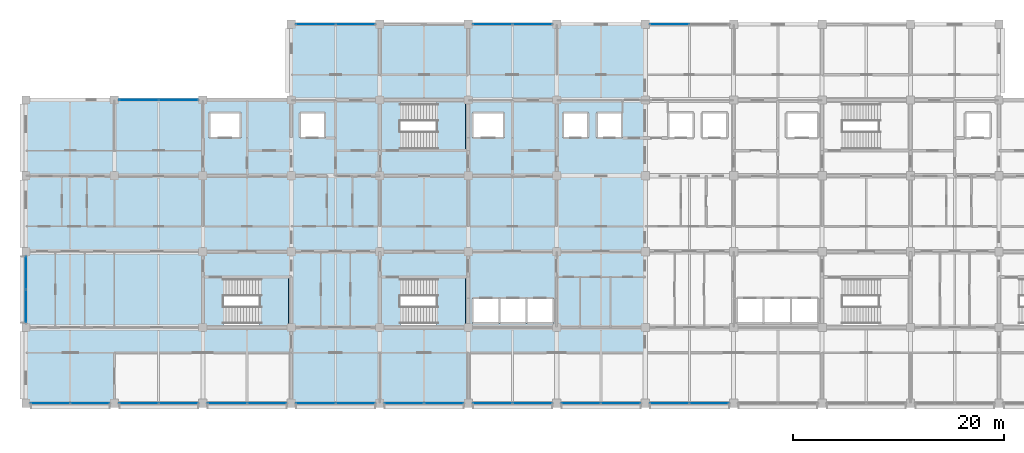
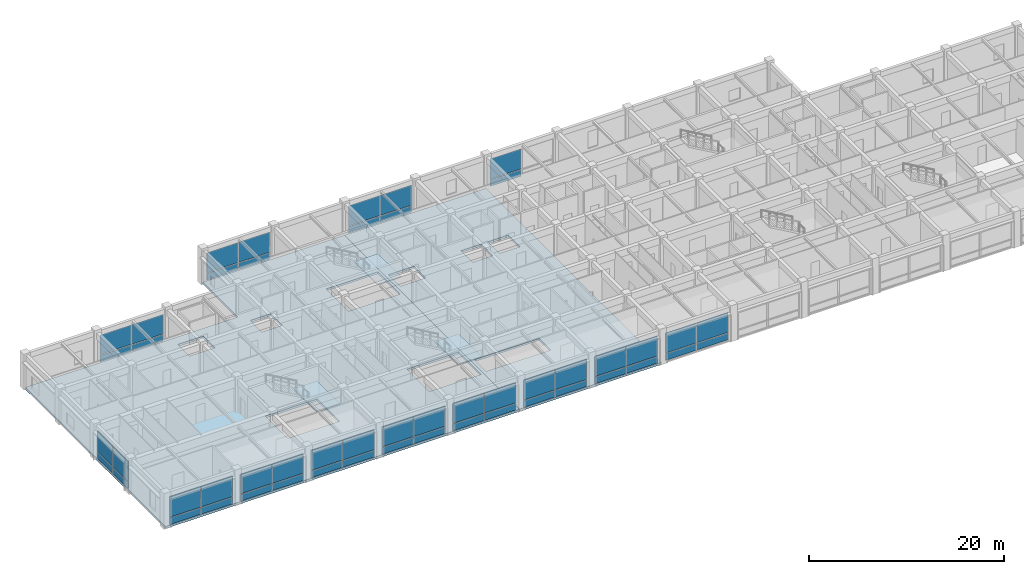
# One storey, part 12 of 30: 50 plates, 5 slabs, 16 elements without a shape of their own.
"""IFC4 building model written with IfcOpenShell, lengths in metres."""

from ifc_helpers import new_model, si_unit, direction, frame, origin, origin_2d, place, context, subcontext, project, spatial, polyline, rectangle, outline, extrude, material, layer, layer_set, type_object, element, aggregate, save


model = new_model("IFC4")

# Units and contexts
model_context = context("Model", 3, precision=1e-05, world=origin(), true_north=direction((0.0, 1.0)))
body_context = subcontext(model_context, "Body", "Model", "MODEL_VIEW")
ifc_project = project(units=[si_unit("LENGTHUNIT", "METRE"), si_unit("AREAUNIT", "SQUARE_METRE"), si_unit("VOLUMEUNIT", "CUBIC_METRE"), si_unit("PLANEANGLEUNIT", "RADIAN"), si_unit("MASSUNIT", "GRAM", prefix="KILO")], contexts=[model_context])

# Site, building, storey
site_placement = place(None, origin())
site = spatial("IfcSite", under=ifc_project, at=site_placement, CompositionType="ELEMENT")
building_placement = place(site_placement, origin())
building = spatial("IfcBuilding", under=site, at=building_placement, Name="Chengyuan Square Courthouse", CompositionType="ELEMENT")
storey_placement = place(building_placement, frame((0.0, 0.0, 30.60009765625)))
storey = spatial("IfcBuildingStorey", under=building, at=storey_placement, Name="L07", CompositionType="ELEMENT", Elevation=30.60009765625)

# Curtain wall, plates
ifc_material_1 = material(Name="Unitised Aluminium and Triple Low-E Glass", Category="aluminium")
ifc_layer_1 = layer(ifc_material_1, 0.199951171875)
ifc_layer_set_1 = layer_set([ifc_layer_1], Name="Unitised Aluminium and Triple Low-E Glass")
curtain_wall_type_1 = type_object("IfcCurtainWallType", Name="CW-19", PredefinedType="USERDEFINED", material=ifc_layer_set_1)
curtain_wall_1_placement = place(storey_placement, origin())
curtain_wall_1 = element("IfcCurtainWall", 1, at=curtain_wall_1_placement, inside=storey, type_object=curtain_wall_type_1, Name="Unitised Curtain Wall CW-L07-201", ObjectType="UNITISED CURTAIN WALL", PredefinedType="USERDEFINED")
ifc_material_2 = material(Name="Triple Low-E Insulating Glass", Category="glass")
ifc_layer_2 = layer(ifc_material_2, 0.02392578125)
ifc_layer_set_2 = layer_set([ifc_layer_2], Name="Triple Low-E Insulating Glass")
plate_type_1 = type_object("IfcPlateType", Name="CWP-01", PredefinedType="CURTAIN_PANEL", material=ifc_layer_set_2)
plate_1_placement = place(storey_placement, frame((27.517578125, 79.199951171875, 0.06982421875), z_axis=(0.0, 0.0, 1.0), x_axis=(1.0, 0.0, 0.0)))
plate_1 = element("IfcPlate", 2, at=plate_1_placement, type_object=plate_type_1, Name="CW-19 panel 1.1", PredefinedType="CURTAIN_PANEL", context=body_context, shape_type="SweptSolid", body=[
    extrude(rectangle(XDim=3.695068359375, YDim=0.02392578125, at=origin_2d()), origin(), (0.0, 0.0, 1.0), 0.844970703125),
])
plate_2_placement = place(storey_placement, frame((27.517578125, 79.199951171875, 0.98486328125), z_axis=(0.0, 0.0, 1.0), x_axis=(1.0, 0.0, 0.0)))
plate_2 = element("IfcPlate", 3, at=plate_2_placement, type_object=plate_type_1, Name="CW-19 panel 1.2", PredefinedType="CURTAIN_PANEL", context=body_context, shape_type="SweptSolid", body=[
    extrude(rectangle(XDim=3.695068359375, YDim=0.02392578125, at=origin_2d()), origin(), (0.0, 0.0, 1.0), 2.594970703125),
])
plate_3_placement = place(storey_placement, frame((31.282470703125, 79.199951171875, 0.06982421875), z_axis=(0.0, 0.0, 1.0), x_axis=(1.0, 0.0, 0.0)))
plate_3 = element("IfcPlate", 4, at=plate_3_placement, type_object=plate_type_1, Name="CW-19 panel 2.1", PredefinedType="CURTAIN_PANEL", context=body_context, shape_type="SweptSolid", body=[
    extrude(rectangle(XDim=3.695068359375, YDim=0.02392578125, at=origin_2d()), origin(), (0.0, 0.0, 1.0), 0.844970703125),
])
plate_4_placement = place(storey_placement, frame((31.282470703125, 79.199951171875, 0.98486328125), z_axis=(0.0, 0.0, 1.0), x_axis=(1.0, 0.0, 0.0)))
plate_4 = element("IfcPlate", 5, at=plate_4_placement, type_object=plate_type_1, Name="CW-19 panel 2.2", PredefinedType="CURTAIN_PANEL", context=body_context, shape_type="SweptSolid", body=[
    extrude(rectangle(XDim=3.695068359375, YDim=0.02392578125, at=origin_2d()), origin(), (0.0, 0.0, 1.0), 2.594970703125),
])
aggregate(curtain_wall_1, [plate_1, plate_2, plate_3, plate_4])

curtain_wall_2_placement = place(storey_placement, origin())
curtain_wall_2 = element("IfcCurtainWall", 6, at=curtain_wall_2_placement, inside=storey, type_object=curtain_wall_type_1, Name="Unitised Curtain Wall CW-L07-203", ObjectType="UNITISED CURTAIN WALL", PredefinedType="USERDEFINED")
plate_5_placement = place(storey_placement, frame((35.91748046875, 79.199951171875, 0.06982421875), z_axis=(0.0, 0.0, 1.0), x_axis=(1.0, 0.0, 0.0)))
plate_5 = element("IfcPlate", 7, at=plate_5_placement, type_object=plate_type_1, Name="CW-19 panel 1.1", PredefinedType="CURTAIN_PANEL", context=body_context, shape_type="SweptSolid", body=[
    extrude(rectangle(XDim=3.695068359375, YDim=0.02392578125, at=origin_2d()), origin(), (0.0, 0.0, 1.0), 0.844970703125),
])
plate_6_placement = place(storey_placement, frame((35.91748046875, 79.199951171875, 0.98486328125), z_axis=(0.0, 0.0, 1.0), x_axis=(1.0, 0.0, 0.0)))
plate_6 = element("IfcPlate", 8, at=plate_6_placement, type_object=plate_type_1, Name="CW-19 panel 1.2", PredefinedType="CURTAIN_PANEL", context=body_context, shape_type="SweptSolid", body=[
    extrude(rectangle(XDim=3.695068359375, YDim=0.02392578125, at=origin_2d()), origin(), (0.0, 0.0, 1.0), 2.445068359375),
])
plate_7_placement = place(storey_placement, frame((39.6826171875, 79.199951171875, 0.06982421875), z_axis=(0.0, 0.0, 1.0), x_axis=(1.0, 0.0, 0.0)))
plate_7 = element("IfcPlate", 9, at=plate_7_placement, type_object=plate_type_1, Name="CW-19 panel 2.1", PredefinedType="CURTAIN_PANEL", context=body_context, shape_type="SweptSolid", body=[
    extrude(rectangle(XDim=3.695068359375, YDim=0.02392578125, at=origin_2d()), origin(), (0.0, 0.0, 1.0), 0.844970703125),
])
plate_8_placement = place(storey_placement, frame((39.6826171875, 79.199951171875, 0.98486328125), z_axis=(0.0, 0.0, 1.0), x_axis=(1.0, 0.0, 0.0)))
plate_8 = element("IfcPlate", 10, at=plate_8_placement, type_object=plate_type_1, Name="CW-19 panel 2.2", PredefinedType="CURTAIN_PANEL", context=body_context, shape_type="SweptSolid", body=[
    extrude(rectangle(XDim=3.695068359375, YDim=0.02392578125, at=origin_2d()), origin(), (0.0, 0.0, 1.0), 2.445068359375),
])
aggregate(curtain_wall_2, [plate_5, plate_6, plate_7, plate_8])

curtain_wall_3_placement = place(storey_placement, origin())
curtain_wall_3 = element("IfcCurtainWall", 11, at=curtain_wall_3_placement, inside=storey, type_object=curtain_wall_type_1, Name="Unitised Curtain Wall CW-L07-204", ObjectType="UNITISED CURTAIN WALL", PredefinedType="USERDEFINED")
plate_9_placement = place(storey_placement, frame((35.91748046875, 108.0, 0.06982421875), z_axis=(0.0, 0.0, 1.0), x_axis=(1.0, 0.0, 0.0)))
plate_9 = element("IfcPlate", 12, at=plate_9_placement, type_object=plate_type_1, Name="CW-19 panel 1.1", PredefinedType="CURTAIN_PANEL", context=body_context, shape_type="SweptSolid", body=[
    extrude(rectangle(XDim=3.695068359375, YDim=0.02392578125, at=origin_2d()), origin(), (0.0, 0.0, 1.0), 0.844970703125),
])
plate_10_placement = place(storey_placement, frame((35.91748046875, 108.0, 0.98486328125), z_axis=(0.0, 0.0, 1.0), x_axis=(1.0, 0.0, 0.0)))
plate_10 = element("IfcPlate", 13, at=plate_10_placement, type_object=plate_type_1, Name="CW-19 panel 1.2", PredefinedType="CURTAIN_PANEL", context=body_context, shape_type="SweptSolid", body=[
    extrude(rectangle(XDim=3.695068359375, YDim=0.02392578125, at=origin_2d()), origin(), (0.0, 0.0, 1.0), 2.445068359375),
])
plate_11_placement = place(storey_placement, frame((39.6826171875, 108.0, 0.06982421875), z_axis=(0.0, 0.0, 1.0), x_axis=(1.0, 0.0, 0.0)))
plate_11 = element("IfcPlate", 14, at=plate_11_placement, type_object=plate_type_1, Name="CW-19 panel 2.1", PredefinedType="CURTAIN_PANEL", context=body_context, shape_type="SweptSolid", body=[
    extrude(rectangle(XDim=3.695068359375, YDim=0.02392578125, at=origin_2d()), origin(), (0.0, 0.0, 1.0), 0.844970703125),
])
plate_12_placement = place(storey_placement, frame((39.6826171875, 108.0, 0.98486328125), z_axis=(0.0, 0.0, 1.0), x_axis=(1.0, 0.0, 0.0)))
plate_12 = element("IfcPlate", 15, at=plate_12_placement, type_object=plate_type_1, Name="CW-19 panel 2.2", PredefinedType="CURTAIN_PANEL", context=body_context, shape_type="SweptSolid", body=[
    extrude(rectangle(XDim=3.695068359375, YDim=0.02392578125, at=origin_2d()), origin(), (0.0, 0.0, 1.0), 2.445068359375),
])
aggregate(curtain_wall_3, [plate_9, plate_10, plate_11, plate_12])

curtain_wall_4_placement = place(storey_placement, origin())
curtain_wall_4 = element("IfcCurtainWall", 16, at=curtain_wall_4_placement, inside=storey, type_object=curtain_wall_type_1, Name="Unitised Curtain Wall CW-L07-205", ObjectType="UNITISED CURTAIN WALL", PredefinedType="USERDEFINED")
plate_13_placement = place(storey_placement, frame((44.3173828125, 79.199951171875, 0.06982421875), z_axis=(0.0, 0.0, 1.0), x_axis=(1.0, 0.0, 0.0)))
plate_13 = element("IfcPlate", 17, at=plate_13_placement, type_object=plate_type_1, Name="CW-19 panel 1.1", PredefinedType="CURTAIN_PANEL", context=body_context, shape_type="SweptSolid", body=[
    extrude(rectangle(XDim=3.695068359375, YDim=0.02392578125, at=origin_2d()), origin(), (0.0, 0.0, 1.0), 0.844970703125),
])
plate_14_placement = place(storey_placement, frame((44.3173828125, 79.199951171875, 0.98486328125), z_axis=(0.0, 0.0, 1.0), x_axis=(1.0, 0.0, 0.0)))
plate_14 = element("IfcPlate", 18, at=plate_14_placement, type_object=plate_type_1, Name="CW-19 panel 1.2", PredefinedType="CURTAIN_PANEL", context=body_context, shape_type="SweptSolid", body=[
    extrude(rectangle(XDim=3.695068359375, YDim=0.02392578125, at=origin_2d()), origin(), (0.0, 0.0, 1.0), 2.534912109375),
])
plate_15_placement = place(storey_placement, frame((48.08251953125, 79.199951171875, 0.06982421875), z_axis=(0.0, 0.0, 1.0), x_axis=(1.0, 0.0, 0.0)))
plate_15 = element("IfcPlate", 19, at=plate_15_placement, type_object=plate_type_1, Name="CW-19 panel 2.1", PredefinedType="CURTAIN_PANEL", context=body_context, shape_type="SweptSolid", body=[
    extrude(rectangle(XDim=3.695068359375, YDim=0.02392578125, at=origin_2d()), origin(), (0.0, 0.0, 1.0), 0.844970703125),
])
plate_16_placement = place(storey_placement, frame((48.08251953125, 79.199951171875, 0.98486328125), z_axis=(0.0, 0.0, 1.0), x_axis=(1.0, 0.0, 0.0)))
plate_16 = element("IfcPlate", 20, at=plate_16_placement, type_object=plate_type_1, Name="CW-19 panel 2.2", PredefinedType="CURTAIN_PANEL", context=body_context, shape_type="SweptSolid", body=[
    extrude(rectangle(XDim=3.695068359375, YDim=0.02392578125, at=origin_2d()), origin(), (0.0, 0.0, 1.0), 2.534912109375),
])
aggregate(curtain_wall_4, [plate_13, plate_14, plate_15, plate_16])

curtain_wall_5_placement = place(storey_placement, origin())
curtain_wall_5 = element("IfcCurtainWall", 21, at=curtain_wall_5_placement, inside=storey, type_object=curtain_wall_type_1, Name="Unitised Curtain Wall CW-L07-206", ObjectType="UNITISED CURTAIN WALL", PredefinedType="USERDEFINED")
plate_17_placement = place(storey_placement, frame((52.717529296875, 79.199951171875, 0.06982421875), z_axis=(0.0, 0.0, 1.0), x_axis=(1.0, 0.0, 0.0)))
plate_17 = element("IfcPlate", 22, at=plate_17_placement, type_object=plate_type_1, Name="CW-19 panel 1.1", PredefinedType="CURTAIN_PANEL", context=body_context, shape_type="SweptSolid", body=[
    extrude(rectangle(XDim=3.695068359375, YDim=0.02392578125, at=origin_2d()), origin(), (0.0, 0.0, 1.0), 0.844970703125),
])
plate_18_placement = place(storey_placement, frame((52.717529296875, 79.199951171875, 0.98486328125), z_axis=(0.0, 0.0, 1.0), x_axis=(1.0, 0.0, 0.0)))
plate_18 = element("IfcPlate", 23, at=plate_18_placement, type_object=plate_type_1, Name="CW-19 panel 1.2", PredefinedType="CURTAIN_PANEL", context=body_context, shape_type="SweptSolid", body=[
    extrude(rectangle(XDim=3.695068359375, YDim=0.02392578125, at=origin_2d()), origin(), (0.0, 0.0, 1.0), 2.534912109375),
])
plate_19_placement = place(storey_placement, frame((56.482421875, 79.199951171875, 0.06982421875), z_axis=(0.0, 0.0, 1.0), x_axis=(1.0, 0.0, 0.0)))
plate_19 = element("IfcPlate", 24, at=plate_19_placement, type_object=plate_type_1, Name="CW-19 panel 2.1", PredefinedType="CURTAIN_PANEL", context=body_context, shape_type="SweptSolid", body=[
    extrude(rectangle(XDim=3.695068359375, YDim=0.02392578125, at=origin_2d()), origin(), (0.0, 0.0, 1.0), 0.844970703125),
])
plate_20_placement = place(storey_placement, frame((56.482421875, 79.199951171875, 0.98486328125), z_axis=(0.0, 0.0, 1.0), x_axis=(1.0, 0.0, 0.0)))
plate_20 = element("IfcPlate", 25, at=plate_20_placement, type_object=plate_type_1, Name="CW-19 panel 2.2", PredefinedType="CURTAIN_PANEL", context=body_context, shape_type="SweptSolid", body=[
    extrude(rectangle(XDim=3.695068359375, YDim=0.02392578125, at=origin_2d()), origin(), (0.0, 0.0, 1.0), 2.534912109375),
])
aggregate(curtain_wall_5, [plate_17, plate_18, plate_19, plate_20])

curtain_wall_6_placement = place(storey_placement, origin())
curtain_wall_6 = element("IfcCurtainWall", 26, at=curtain_wall_6_placement, inside=storey, type_object=curtain_wall_type_1, Name="Unitised Curtain Wall CW-L07-207", ObjectType="UNITISED CURTAIN WALL", PredefinedType="USERDEFINED")
plate_21_placement = place(storey_placement, frame((52.717529296875, 115.199951171875, 0.06982421875), z_axis=(0.0, 0.0, 1.0), x_axis=(1.0, 0.0, 0.0)))
plate_21 = element("IfcPlate", 27, at=plate_21_placement, type_object=plate_type_1, Name="CW-19 panel 1.1", PredefinedType="CURTAIN_PANEL", context=body_context, shape_type="SweptSolid", body=[
    extrude(rectangle(XDim=3.695068359375, YDim=0.02392578125, at=origin_2d()), origin(), (0.0, 0.0, 1.0), 0.844970703125),
])
plate_22_placement = place(storey_placement, frame((52.717529296875, 115.199951171875, 0.98486328125), z_axis=(0.0, 0.0, 1.0), x_axis=(1.0, 0.0, 0.0)))
plate_22 = element("IfcPlate", 28, at=plate_22_placement, type_object=plate_type_1, Name="CW-19 panel 1.2", PredefinedType="CURTAIN_PANEL", context=body_context, shape_type="SweptSolid", body=[
    extrude(rectangle(XDim=3.695068359375, YDim=0.02392578125, at=origin_2d()), origin(), (0.0, 0.0, 1.0), 2.534912109375),
])
plate_23_placement = place(storey_placement, frame((56.482421875, 115.199951171875, 0.06982421875), z_axis=(0.0, 0.0, 1.0), x_axis=(1.0, 0.0, 0.0)))
plate_23 = element("IfcPlate", 29, at=plate_23_placement, type_object=plate_type_1, Name="CW-19 panel 2.1", PredefinedType="CURTAIN_PANEL", context=body_context, shape_type="SweptSolid", body=[
    extrude(rectangle(XDim=3.695068359375, YDim=0.02392578125, at=origin_2d()), origin(), (0.0, 0.0, 1.0), 0.844970703125),
])
plate_24_placement = place(storey_placement, frame((56.482421875, 115.199951171875, 0.98486328125), z_axis=(0.0, 0.0, 1.0), x_axis=(1.0, 0.0, 0.0)))
plate_24 = element("IfcPlate", 30, at=plate_24_placement, type_object=plate_type_1, Name="CW-19 panel 2.2", PredefinedType="CURTAIN_PANEL", context=body_context, shape_type="SweptSolid", body=[
    extrude(rectangle(XDim=3.695068359375, YDim=0.02392578125, at=origin_2d()), origin(), (0.0, 0.0, 1.0), 2.534912109375),
])
aggregate(curtain_wall_6, [plate_21, plate_22, plate_23, plate_24])

curtain_wall_7_placement = place(storey_placement, origin())
curtain_wall_7 = element("IfcCurtainWall", 31, at=curtain_wall_7_placement, inside=storey, type_object=curtain_wall_type_1, Name="Unitised Curtain Wall CW-L07-208", ObjectType="UNITISED CURTAIN WALL", PredefinedType="USERDEFINED")
plate_25_placement = place(storey_placement, frame((61.117431640625, 79.199951171875, 0.06982421875), z_axis=(0.0, 0.0, 1.0), x_axis=(1.0, 0.0, 0.0)))
plate_25 = element("IfcPlate", 32, at=plate_25_placement, type_object=plate_type_1, Name="CW-19 panel 1.1", PredefinedType="CURTAIN_PANEL", context=body_context, shape_type="SweptSolid", body=[
    extrude(rectangle(XDim=3.695068359375, YDim=0.02392578125, at=origin_2d()), origin(), (0.0, 0.0, 1.0), 0.844970703125),
])
plate_26_placement = place(storey_placement, frame((61.117431640625, 79.199951171875, 0.98486328125), z_axis=(0.0, 0.0, 1.0), x_axis=(1.0, 0.0, 0.0)))
plate_26 = element("IfcPlate", 33, at=plate_26_placement, type_object=plate_type_1, Name="CW-19 panel 1.2", PredefinedType="CURTAIN_PANEL", context=body_context, shape_type="SweptSolid", body=[
    extrude(rectangle(XDim=3.695068359375, YDim=0.02392578125, at=origin_2d()), origin(), (0.0, 0.0, 1.0), 2.534912109375),
])
plate_27_placement = place(storey_placement, frame((64.882568359375, 79.199951171875, 0.06982421875), z_axis=(0.0, 0.0, 1.0), x_axis=(1.0, 0.0, 0.0)))
plate_27 = element("IfcPlate", 34, at=plate_27_placement, type_object=plate_type_1, Name="CW-19 panel 2.1", PredefinedType="CURTAIN_PANEL", context=body_context, shape_type="SweptSolid", body=[
    extrude(rectangle(XDim=3.695068359375, YDim=0.02392578125, at=origin_2d()), origin(), (0.0, 0.0, 1.0), 0.844970703125),
])
plate_28_placement = place(storey_placement, frame((64.882568359375, 79.199951171875, 0.98486328125), z_axis=(0.0, 0.0, 1.0), x_axis=(1.0, 0.0, 0.0)))
plate_28 = element("IfcPlate", 35, at=plate_28_placement, type_object=plate_type_1, Name="CW-19 panel 2.2", PredefinedType="CURTAIN_PANEL", context=body_context, shape_type="SweptSolid", body=[
    extrude(rectangle(XDim=3.695068359375, YDim=0.02392578125, at=origin_2d()), origin(), (0.0, 0.0, 1.0), 2.534912109375),
])
aggregate(curtain_wall_7, [plate_25, plate_26, plate_27, plate_28])

curtain_wall_8_placement = place(storey_placement, origin())
curtain_wall_8 = element("IfcCurtainWall", 36, at=curtain_wall_8_placement, inside=storey, type_object=curtain_wall_type_1, Name="Unitised Curtain Wall CW-L07-209", ObjectType="UNITISED CURTAIN WALL", PredefinedType="USERDEFINED")
plate_29_placement = place(storey_placement, frame((69.517578125, 79.199951171875, 0.06982421875), z_axis=(0.0, 0.0, 1.0), x_axis=(1.0, 0.0, 0.0)))
plate_29 = element("IfcPlate", 37, at=plate_29_placement, type_object=plate_type_1, Name="CW-19 panel 1.1", PredefinedType="CURTAIN_PANEL", context=body_context, shape_type="SweptSolid", body=[
    extrude(rectangle(XDim=3.695068359375, YDim=0.02392578125, at=origin_2d()), origin(), (0.0, 0.0, 1.0), 0.844970703125),
])
plate_30_placement = place(storey_placement, frame((69.517578125, 79.199951171875, 0.98486328125), z_axis=(0.0, 0.0, 1.0), x_axis=(1.0, 0.0, 0.0)))
plate_30 = element("IfcPlate", 38, at=plate_30_placement, type_object=plate_type_1, Name="CW-19 panel 1.2", PredefinedType="CURTAIN_PANEL", context=body_context, shape_type="SweptSolid", body=[
    extrude(rectangle(XDim=3.695068359375, YDim=0.02392578125, at=origin_2d()), origin(), (0.0, 0.0, 1.0), 2.534912109375),
])
plate_31_placement = place(storey_placement, frame((73.282470703125, 79.199951171875, 0.06982421875), z_axis=(0.0, 0.0, 1.0), x_axis=(1.0, 0.0, 0.0)))
plate_31 = element("IfcPlate", 39, at=plate_31_placement, type_object=plate_type_1, Name="CW-19 panel 2.1", PredefinedType="CURTAIN_PANEL", context=body_context, shape_type="SweptSolid", body=[
    extrude(rectangle(XDim=3.695068359375, YDim=0.02392578125, at=origin_2d()), origin(), (0.0, 0.0, 1.0), 0.844970703125),
])
plate_32_placement = place(storey_placement, frame((73.282470703125, 79.199951171875, 0.98486328125), z_axis=(0.0, 0.0, 1.0), x_axis=(1.0, 0.0, 0.0)))
plate_32 = element("IfcPlate", 40, at=plate_32_placement, type_object=plate_type_1, Name="CW-19 panel 2.2", PredefinedType="CURTAIN_PANEL", context=body_context, shape_type="SweptSolid", body=[
    extrude(rectangle(XDim=3.695068359375, YDim=0.02392578125, at=origin_2d()), origin(), (0.0, 0.0, 1.0), 2.534912109375),
])
aggregate(curtain_wall_8, [plate_29, plate_30, plate_31, plate_32])

curtain_wall_9_placement = place(storey_placement, origin())
curtain_wall_9 = element("IfcCurtainWall", 41, at=curtain_wall_9_placement, inside=storey, type_object=curtain_wall_type_1, Name="Unitised Curtain Wall CW-L07-210", ObjectType="UNITISED CURTAIN WALL", PredefinedType="USERDEFINED")
plate_33_placement = place(storey_placement, frame((69.517578125, 115.199951171875, 0.06982421875), z_axis=(0.0, 0.0, 1.0), x_axis=(1.0, 0.0, 0.0)))
plate_33 = element("IfcPlate", 42, at=plate_33_placement, type_object=plate_type_1, Name="CW-19 panel 1.1", PredefinedType="CURTAIN_PANEL", context=body_context, shape_type="SweptSolid", body=[
    extrude(rectangle(XDim=3.695068359375, YDim=0.02392578125, at=origin_2d()), origin(), (0.0, 0.0, 1.0), 0.844970703125),
])
plate_34_placement = place(storey_placement, frame((69.517578125, 115.199951171875, 0.98486328125), z_axis=(0.0, 0.0, 1.0), x_axis=(1.0, 0.0, 0.0)))
plate_34 = element("IfcPlate", 43, at=plate_34_placement, type_object=plate_type_1, Name="CW-19 panel 1.2", PredefinedType="CURTAIN_PANEL", context=body_context, shape_type="SweptSolid", body=[
    extrude(rectangle(XDim=3.695068359375, YDim=0.02392578125, at=origin_2d()), origin(), (0.0, 0.0, 1.0), 2.534912109375),
])
plate_35_placement = place(storey_placement, frame((73.282470703125, 115.199951171875, 0.06982421875), z_axis=(0.0, 0.0, 1.0), x_axis=(1.0, 0.0, 0.0)))
plate_35 = element("IfcPlate", 44, at=plate_35_placement, type_object=plate_type_1, Name="CW-19 panel 2.1", PredefinedType="CURTAIN_PANEL", context=body_context, shape_type="SweptSolid", body=[
    extrude(rectangle(XDim=3.695068359375, YDim=0.02392578125, at=origin_2d()), origin(), (0.0, 0.0, 1.0), 0.844970703125),
])
plate_36_placement = place(storey_placement, frame((73.282470703125, 115.199951171875, 0.98486328125), z_axis=(0.0, 0.0, 1.0), x_axis=(1.0, 0.0, 0.0)))
plate_36 = element("IfcPlate", 45, at=plate_36_placement, type_object=plate_type_1, Name="CW-19 panel 2.2", PredefinedType="CURTAIN_PANEL", context=body_context, shape_type="SweptSolid", body=[
    extrude(rectangle(XDim=3.695068359375, YDim=0.02392578125, at=origin_2d()), origin(), (0.0, 0.0, 1.0), 2.534912109375),
])
aggregate(curtain_wall_9, [plate_33, plate_34, plate_35, plate_36])

curtain_wall_10_placement = place(storey_placement, origin())
curtain_wall_10 = element("IfcCurtainWall", 46, at=curtain_wall_10_placement, inside=storey, type_object=curtain_wall_type_1, Name="Unitised Curtain Wall CW-L07-211", ObjectType="UNITISED CURTAIN WALL", PredefinedType="USERDEFINED")
plate_37_placement = place(storey_placement, frame((77.91748046875, 79.199951171875, 0.06982421875), z_axis=(0.0, 0.0, 1.0), x_axis=(1.0, 0.0, 0.0)))
plate_37 = element("IfcPlate", 47, at=plate_37_placement, type_object=plate_type_1, Name="CW-19 panel 1.1", PredefinedType="CURTAIN_PANEL", context=body_context, shape_type="SweptSolid", body=[
    extrude(rectangle(XDim=3.695068359375, YDim=0.02392578125, at=origin_2d()), origin(), (0.0, 0.0, 1.0), 0.844970703125),
])
plate_38_placement = place(storey_placement, frame((77.91748046875, 79.199951171875, 0.98486328125), z_axis=(0.0, 0.0, 1.0), x_axis=(1.0, 0.0, 0.0)))
plate_38 = element("IfcPlate", 48, at=plate_38_placement, type_object=plate_type_1, Name="CW-19 panel 1.2", PredefinedType="CURTAIN_PANEL", context=body_context, shape_type="SweptSolid", body=[
    extrude(rectangle(XDim=3.695068359375, YDim=0.02392578125, at=origin_2d()), origin(), (0.0, 0.0, 1.0), 2.534912109375),
])
plate_39_placement = place(storey_placement, frame((81.6826171875, 79.199951171875, 0.06982421875), z_axis=(0.0, 0.0, 1.0), x_axis=(1.0, 0.0, 0.0)))
plate_39 = element("IfcPlate", 49, at=plate_39_placement, type_object=plate_type_1, Name="CW-19 panel 2.1", PredefinedType="CURTAIN_PANEL", context=body_context, shape_type="SweptSolid", body=[
    extrude(rectangle(XDim=3.695068359375, YDim=0.02392578125, at=origin_2d()), origin(), (0.0, 0.0, 1.0), 0.844970703125),
])
plate_40_placement = place(storey_placement, frame((81.6826171875, 79.199951171875, 0.98486328125), z_axis=(0.0, 0.0, 1.0), x_axis=(1.0, 0.0, 0.0)))
plate_40 = element("IfcPlate", 50, at=plate_40_placement, type_object=plate_type_1, Name="CW-19 panel 2.2", PredefinedType="CURTAIN_PANEL", context=body_context, shape_type="SweptSolid", body=[
    extrude(rectangle(XDim=3.695068359375, YDim=0.02392578125, at=origin_2d()), origin(), (0.0, 0.0, 1.0), 2.534912109375),
])
aggregate(curtain_wall_10, [plate_37, plate_38, plate_39, plate_40])

curtain_wall_11_placement = place(storey_placement, origin())
curtain_wall_11 = element("IfcCurtainWall", 51, at=curtain_wall_11_placement, inside=storey, type_object=curtain_wall_type_1, Name="Unitised Curtain Wall CW-L07-212", ObjectType="UNITISED CURTAIN WALL", PredefinedType="USERDEFINED")
plate_41_placement = place(storey_placement, frame((86.3173828125, 79.199951171875, 0.06982421875), z_axis=(0.0, 0.0, 1.0), x_axis=(1.0, 0.0, 0.0)))
plate_41 = element("IfcPlate", 52, at=plate_41_placement, type_object=plate_type_1, Name="CW-19 panel 1.1", PredefinedType="CURTAIN_PANEL", context=body_context, shape_type="SweptSolid", body=[
    extrude(rectangle(XDim=3.695068359375, YDim=0.02392578125, at=origin_2d()), origin(), (0.0, 0.0, 1.0), 0.844970703125),
])
plate_42_placement = place(storey_placement, frame((86.3173828125, 79.199951171875, 0.98486328125), z_axis=(0.0, 0.0, 1.0), x_axis=(1.0, 0.0, 0.0)))
plate_42 = element("IfcPlate", 53, at=plate_42_placement, type_object=plate_type_1, Name="CW-19 panel 1.2", PredefinedType="CURTAIN_PANEL", context=body_context, shape_type="SweptSolid", body=[
    extrude(rectangle(XDim=3.695068359375, YDim=0.02392578125, at=origin_2d()), origin(), (0.0, 0.0, 1.0), 2.534912109375),
])
plate_43_placement = place(storey_placement, frame((90.08251953125, 79.199951171875, 0.06982421875), z_axis=(0.0, 0.0, 1.0), x_axis=(1.0, 0.0, 0.0)))
plate_43 = element("IfcPlate", 54, at=plate_43_placement, type_object=plate_type_1, Name="CW-19 panel 2.1", PredefinedType="CURTAIN_PANEL", context=body_context, shape_type="SweptSolid", body=[
    extrude(rectangle(XDim=3.695068359375, YDim=0.02392578125, at=origin_2d()), origin(), (0.0, 0.0, 1.0), 0.844970703125),
])
plate_44_placement = place(storey_placement, frame((90.08251953125, 79.199951171875, 0.98486328125), z_axis=(0.0, 0.0, 1.0), x_axis=(1.0, 0.0, 0.0)))
plate_44 = element("IfcPlate", 55, at=plate_44_placement, type_object=plate_type_1, Name="CW-19 panel 2.2", PredefinedType="CURTAIN_PANEL", context=body_context, shape_type="SweptSolid", body=[
    extrude(rectangle(XDim=3.695068359375, YDim=0.02392578125, at=origin_2d()), origin(), (0.0, 0.0, 1.0), 2.534912109375),
])
aggregate(curtain_wall_11, [plate_41, plate_42, plate_43, plate_44])

curtain_wall_12_placement = place(storey_placement, origin())
curtain_wall_12 = element("IfcCurtainWall", 56, at=curtain_wall_12_placement, inside=storey, type_object=curtain_wall_type_1, Name="Unitised Curtain Wall CW-L07-213", ObjectType="UNITISED CURTAIN WALL", PredefinedType="USERDEFINED")
plate_45_placement = place(storey_placement, frame((86.3173828125, 115.199951171875, 0.06982421875), z_axis=(0.0, 0.0, 1.0), x_axis=(1.0, 0.0, 0.0)))
plate_45 = element("IfcPlate", 57, at=plate_45_placement, type_object=plate_type_1, Name="CW-19 panel 1.1", PredefinedType="CURTAIN_PANEL", context=body_context, shape_type="SweptSolid", body=[
    extrude(rectangle(XDim=3.695068359375, YDim=0.02392578125, at=origin_2d()), origin(), (0.0, 0.0, 1.0), 0.844970703125),
])
plate_46_placement = place(storey_placement, frame((86.3173828125, 115.199951171875, 0.98486328125), z_axis=(0.0, 0.0, 1.0), x_axis=(1.0, 0.0, 0.0)))
plate_46 = element("IfcPlate", 58, at=plate_46_placement, type_object=plate_type_1, Name="CW-19 panel 1.2", PredefinedType="CURTAIN_PANEL", context=body_context, shape_type="SweptSolid", body=[
    extrude(rectangle(XDim=3.695068359375, YDim=0.02392578125, at=origin_2d()), origin(), (0.0, 0.0, 1.0), 2.534912109375),
])
aggregate(curtain_wall_12, [plate_45, plate_46])

ifc_layer_3 = layer(ifc_material_1, 0.219970703125)
ifc_layer_set_3 = layer_set([ifc_layer_3], Name="Unitised Aluminium and Triple Low-E Glass")
curtain_wall_type_2 = type_object("IfcCurtainWallType", Name="CW-08", PredefinedType="USERDEFINED", material=ifc_layer_set_3)
curtain_wall_13_placement = place(storey_placement, origin())
curtain_wall_13 = element("IfcCurtainWall", 59, at=curtain_wall_13_placement, inside=storey, type_object=curtain_wall_type_2, Name="Unitised Curtain Wall CW-L07-202", ObjectType="UNITISED CURTAIN WALL", PredefinedType="USERDEFINED")
ifc_layer_4 = layer(ifc_material_2, 0.031982421875)
ifc_layer_set_4 = layer_set([ifc_layer_4], Name="Triple Low-E Insulating Glass")
plate_type_2 = type_object("IfcPlateType", Name="CWP-02", PredefinedType="CURTAIN_PANEL", material=ifc_layer_set_4)
plate_47_placement = place(storey_placement, frame((25.199951171875, 88.419921875, 0.079833984375), z_axis=(0.0, 0.0, 1.0), x_axis=(0.0, 1.0, 0.0)))
plate_47 = element("IfcPlate", 60, at=plate_47_placement, type_object=plate_type_2, Name="CW-08 panel 1.1", PredefinedType="CURTAIN_PANEL", context=body_context, shape_type="SweptSolid", body=[
    extrude(rectangle(XDim=3.080078125, YDim=0.031982421875, at=origin_2d()), origin(), (0.0, 0.0, 1.0), 0.830078125),
])
plate_48_placement = place(storey_placement, frame((25.199951171875, 88.419921875, 0.98974609375), z_axis=(0.0, 0.0, 1.0), x_axis=(0.0, 1.0, 0.0)))
plate_48 = element("IfcPlate", 61, at=plate_48_placement, type_object=plate_type_2, Name="CW-08 panel 1.2", PredefinedType="CURTAIN_PANEL", context=body_context, shape_type="SweptSolid", body=[
    extrude(rectangle(XDim=3.080078125, YDim=0.031982421875, at=origin_2d()), origin(), (0.0, 0.0, 1.0), 2.580078125),
])
plate_49_placement = place(storey_placement, frame((25.199951171875, 91.580078125, 0.079833984375), z_axis=(0.0, 0.0, 1.0), x_axis=(0.0, 1.0, 0.0)))
plate_49 = element("IfcPlate", 62, at=plate_49_placement, type_object=plate_type_2, Name="CW-08 panel 2.1", PredefinedType="CURTAIN_PANEL", context=body_context, shape_type="SweptSolid", body=[
    extrude(rectangle(XDim=3.080078125, YDim=0.031982421875, at=origin_2d()), origin(), (0.0, 0.0, 1.0), 0.830078125),
])
plate_50_placement = place(storey_placement, frame((25.199951171875, 91.580078125, 0.98974609375), z_axis=(0.0, 0.0, 1.0), x_axis=(0.0, 1.0, 0.0)))
plate_50 = element("IfcPlate", 63, at=plate_50_placement, type_object=plate_type_2, Name="CW-08 panel 2.2", PredefinedType="CURTAIN_PANEL", context=body_context, shape_type="SweptSolid", body=[
    extrude(rectangle(XDim=3.080078125, YDim=0.031982421875, at=origin_2d()), origin(), (0.0, 0.0, 1.0), 2.580078125),
])
aggregate(curtain_wall_13, [plate_47, plate_48, plate_49, plate_50])

# Stair, slab
ifc_material_3 = material(Name="Concrete C40", Category="concrete")
stair_type_1 = type_object("IfcStairType", Name="ST-TYPE-01", PredefinedType="HALF_TURN_STAIR", material=ifc_material_3)
stair_1_placement = place(storey_placement, origin())
stair_1 = element("IfcStair", 64, at=stair_1_placement, inside=storey, type_object=stair_type_1, Name="Smoke-Proof Exit Stair ST-1 (L07 to L08)", PredefinedType="HALF_TURN_STAIR")
ifc_layer_5 = layer(ifc_material_3, 0.179931640625)
ifc_layer_set_5 = layer_set([ifc_layer_5], Name="Concrete C40")
slab_type_1 = type_object("IfcSlabType", Name="SL-LND2", PredefinedType="LANDING", material=ifc_layer_set_5)
slab_1_placement = place(storey_placement, frame((0.0, 0.0, 2.06982421875)))
slab_1 = element("IfcSlab", 65, at=slab_1_placement, type_object=slab_type_1, Name="ST-1 landing 1", PredefinedType="LANDING", context=body_context, shape_type="SweptSolid", body=[
    extrude(outline(polyline([(64.169921875, 103.159912109375), (66.93994140625, 103.159912109375), (66.93994140625, 107.840087890625), (64.169921875, 107.840087890625), (64.169921875, 103.159912109375)])), origin(), (0.0, 0.0, 1.0), 0.18017578125),
])
aggregate(stair_1, [slab_1])

stair_type_2 = type_object("IfcStairType", Name="ST-TYPE-03", PredefinedType="HALF_TURN_STAIR", material=ifc_material_3)
stair_2_placement = place(storey_placement, origin())
stair_2 = element("IfcStair", 66, at=stair_2_placement, inside=storey, type_object=stair_type_2, Name="Smoke-Proof Exit Stair ST-3 (L07 to L08)", PredefinedType="HALF_TURN_STAIR")
slab_2_placement = place(storey_placement, frame((0.0, 0.0, 2.06982421875)))
slab_2 = element("IfcSlab", 67, at=slab_2_placement, type_object=slab_type_1, Name="ST-3 landing 1", PredefinedType="LANDING", context=body_context, shape_type="SweptSolid", body=[
    extrude(outline(polyline([(64.169921875, 86.56005859375), (66.93994140625, 86.56005859375), (66.93994140625, 91.239990234375), (64.169921875, 91.239990234375), (64.169921875, 86.56005859375)])), origin(), (0.0, 0.0, 1.0), 0.18017578125),
])
aggregate(stair_2, [slab_2])

stair_type_3 = type_object("IfcStairType", Name="ST-TYPE-05", PredefinedType="HALF_TURN_STAIR", material=ifc_material_3)
stair_3_placement = place(storey_placement, origin())
stair_3 = element("IfcStair", 68, at=stair_3_placement, inside=storey, type_object=stair_type_3, Name="Smoke-Proof Exit Stair ST-5 (L07 to L08)", PredefinedType="HALF_TURN_STAIR")
slab_3_placement = place(storey_placement, frame((0.0, 0.0, 2.06982421875)))
slab_3 = element("IfcSlab", 69, at=slab_3_placement, type_object=slab_type_1, Name="ST-5 landing 1", PredefinedType="LANDING", context=body_context, shape_type="SweptSolid", body=[
    extrude(outline(polyline([(47.3701171875, 86.56005859375), (50.139892578125, 86.56005859375), (50.139892578125, 91.239990234375), (47.3701171875, 91.239990234375), (47.3701171875, 86.56005859375)])), origin(), (0.0, 0.0, 1.0), 0.18017578125),
])
aggregate(stair_3, [slab_3])

# Slabs
ifc_material_4 = material(Name="Post-tensioned Concrete C50", Category="concrete")
ifc_layer_6 = layer(ifc_material_4, 0.260009765625)
ifc_layer_set_6 = layer_set([ifc_layer_6], Name="Post-tensioned Concrete C50")
slab_type_2 = type_object("IfcSlabType", Name="SL-PT26", PredefinedType="FLOOR", material=ifc_layer_set_6)
slab_4_placement = place(storey_placement, frame((0.0, 0.0, -0.260009765625)))
element("IfcSlab", 70, at=slab_4_placement, inside=storey, type_object=slab_type_2, Name="Suspended Floor Slab SL-L07-01", PredefinedType="FLOOR", context=body_context, shape_type="SweptSolid", body=[
    extrude(outline(polyline([(25.199951171875, 79.199951171875), (25.199951171875, 86.39990234375), (25.199951171875, 93.60009765625), (25.199951171875, 100.800048828125), (25.199951171875, 108.0), (33.60009765625, 108.0), (42.0, 108.0), (50.39990234375, 108.0), (50.39990234375, 115.199951171875), (58.800048828125, 115.199951171875), (67.199951171875, 115.199951171875), (67.199951171875, 79.199951171875), (58.800048828125, 79.199951171875), (50.39990234375, 79.199951171875), (42.0, 79.199951171875), (33.60009765625, 79.199951171875), (25.199951171875, 79.199951171875)]), holes=[polyline([(50.10009765625, 91.199951171875), (43.949951171875, 91.199951171875), (43.949951171875, 86.60009765625), (50.10009765625, 86.60009765625), (50.10009765625, 91.199951171875)]), polyline([(66.89990234375, 91.199951171875), (60.75, 91.199951171875), (60.75, 86.60009765625), (66.89990234375, 86.60009765625), (66.89990234375, 91.199951171875)]), polyline([(60.75, 107.800048828125), (60.75, 103.199951171875), (66.89990234375, 103.199951171875), (66.89990234375, 107.800048828125), (60.75, 107.800048828125)]), polyline([(45.60009765625, 106.800048828125), (42.60009765625, 106.800048828125), (42.60009765625, 104.39990234375), (45.60009765625, 104.39990234375), (45.60009765625, 106.800048828125)]), polyline([(53.60009765625, 106.800048828125), (51.199951171875, 106.800048828125), (51.199951171875, 104.39990234375), (53.60009765625, 104.39990234375), (53.60009765625, 106.800048828125)])]), origin(), (0.0, 0.0, 1.0), 0.260009765625),
])
slab_5_placement = place(storey_placement, frame((0.0, 0.0, -0.260009765625)))
element("IfcSlab", 71, at=slab_5_placement, inside=storey, type_object=slab_type_2, Name="Suspended Floor Slab SL-L07-02", PredefinedType="FLOOR", context=body_context, shape_type="SweptSolid", body=[
    extrude(outline(polyline([(75.60009765625, 115.199951171875), (84.0, 115.199951171875), (84.0, 79.199951171875), (75.60009765625, 79.199951171875), (67.199951171875, 79.199951171875), (67.199951171875, 115.199951171875), (75.60009765625, 115.199951171875)]), holes=[polyline([(67.60009765625, 89.199951171875), (67.60009765625, 86.800048828125), (70.14990234375, 86.800048828125), (72.75, 86.800048828125), (75.300048828125, 86.800048828125), (75.300048828125, 89.199951171875), (72.75, 89.199951171875), (70.14990234375, 89.199951171875), (67.60009765625, 89.199951171875)]), polyline([(67.60009765625, 106.800048828125), (67.60009765625, 104.39990234375), (70.60009765625, 104.39990234375), (70.60009765625, 106.800048828125), (67.60009765625, 106.800048828125)]), polyline([(78.60009765625, 106.800048828125), (76.199951171875, 106.800048828125), (76.199951171875, 104.39990234375), (78.60009765625, 104.39990234375), (78.60009765625, 106.800048828125)]), polyline([(81.800048828125, 106.800048828125), (79.39990234375, 106.800048828125), (79.39990234375, 104.39990234375), (81.800048828125, 104.39990234375), (81.800048828125, 106.800048828125)])]), origin(), (0.0, 0.0, 1.0), 0.260009765625),
])

save(model, "model.ifc")
